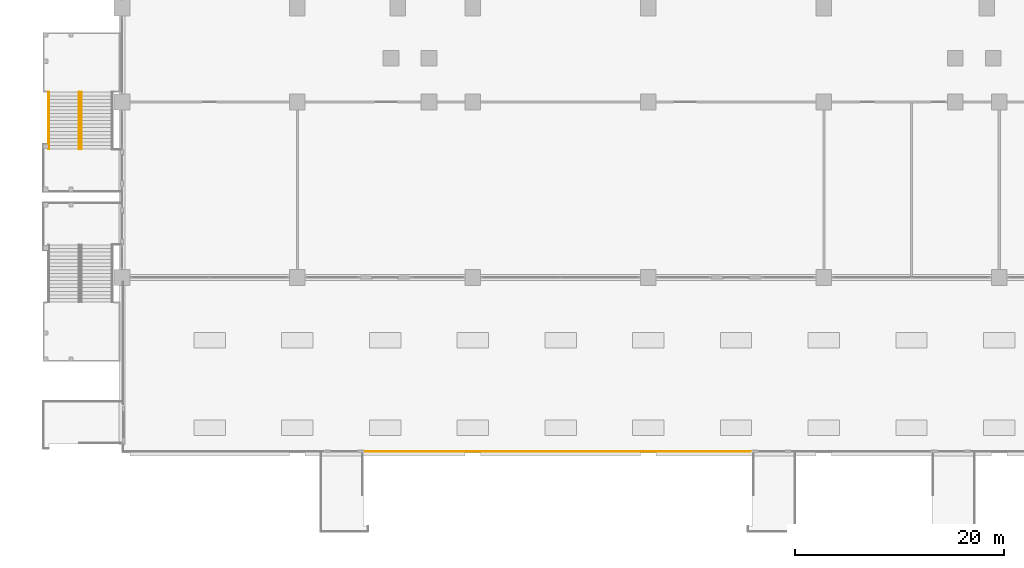
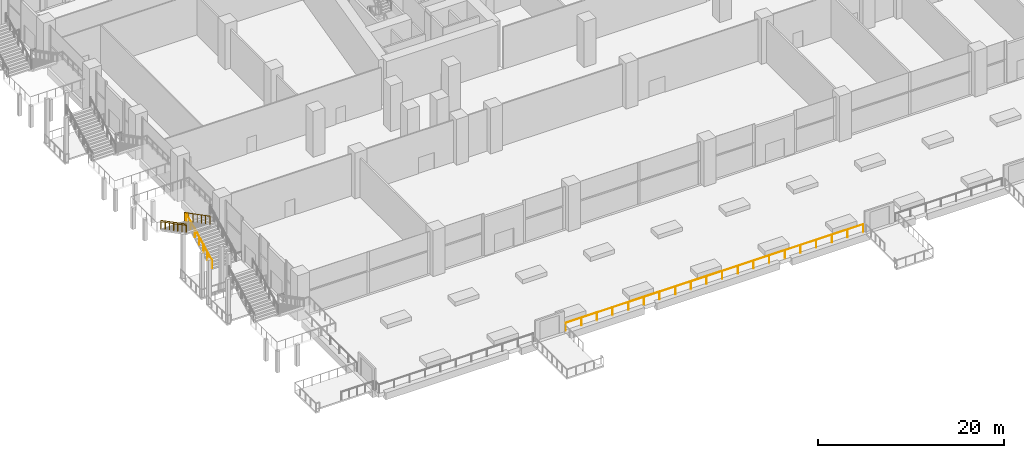
# One storey, part 33 of 47: 5 railings.
"""IFC4 building model written with IfcOpenShell, lengths in metres."""

from ifc_helpers import new_model, si_unit, direction, frame, origin, origin_2d, place, context, subcontext, project, spatial, circle, extrude, material, type_object, element, save


model = new_model("IFC4")

# Units and contexts
model_context = context("Model", 3, precision=1e-05, world=origin(), true_north=direction((0.0, 1.0)))
body_context = subcontext(model_context, "Body", "Model", "MODEL_VIEW")
ifc_project = project(units=[si_unit("LENGTHUNIT", "METRE"), si_unit("AREAUNIT", "SQUARE_METRE"), si_unit("VOLUMEUNIT", "CUBIC_METRE"), si_unit("PLANEANGLEUNIT", "RADIAN"), si_unit("MASSUNIT", "GRAM", prefix="KILO")], contexts=[model_context])

# Site, building, storey
site_placement = place(None, origin())
site = spatial("IfcSite", under=ifc_project, at=site_placement, CompositionType="ELEMENT")
building_placement = place(site_placement, origin())
building = spatial("IfcBuilding", under=site, at=building_placement, Name="Candeia Pilgrim Tower and Theatre", CompositionType="ELEMENT")
storey_placement = place(building_placement, frame((0.0, 0.0, 23.0)))
storey = spatial("IfcBuildingStorey", under=building, at=storey_placement, Name="L03", CompositionType="ELEMENT", Elevation=23.0)

# Railings
ifc_material_1 = material(Name="Stainless steel balustrade", Category="steel")
railing_type_1 = type_object("IfcRailingType", Name="G1 loggia guard 1100", PredefinedType="GUARDRAIL", material=ifc_material_1)
railing_1_placement = place(storey_placement, frame((119.0, 64.52001953125, 0.0)))
element("IfcRailing", 1, at=railing_1_placement, inside=storey, type_object=railing_type_1, Name="Terrace guard L03.3", PredefinedType="GUARDRAIL", context=body_context, shape_type="SweptSolid", body=[
    extrude(circle(Radius=0.02392578125, at=origin_2d()), frame((0.0, 0.0, 1.076171875), z_axis=(-1.0, 0.0, 0.0), x_axis=(0.0, -1.0, 0.0)), (0.0, 0.0, 1.0), 36.89990234375),
    extrude(circle(Radius=0.02099609375, at=origin_2d()), origin(), (0.0, 0.0, 1.0), 1.052001953125),
    extrude(circle(Radius=0.02099609375, at=origin_2d()), frame((-1.942138671875, 0.0, 0.0)), (0.0, 0.0, 1.0), 1.052001953125),
    extrude(circle(Radius=0.02099609375, at=origin_2d()), frame((-3.88427734375, 0.0, 0.0)), (0.0, 0.0, 1.0), 1.052001953125),
    extrude(circle(Radius=0.02099609375, at=origin_2d()), frame((-5.826416015625, 0.0, 0.0)), (0.0, 0.0, 1.0), 1.052001953125),
    extrude(circle(Radius=0.02099609375, at=origin_2d()), frame((-7.768310546875, 0.0, 0.0)), (0.0, 0.0, 1.0), 1.052001953125),
    extrude(circle(Radius=0.02099609375, at=origin_2d()), frame((-9.71044921875, 0.0, 0.0)), (0.0, 0.0, 1.0), 1.052001953125),
    extrude(circle(Radius=0.02099609375, at=origin_2d()), frame((-11.652587890625, 0.0, 0.0)), (0.0, 0.0, 1.0), 1.052001953125),
    extrude(circle(Radius=0.02099609375, at=origin_2d()), frame((-13.5947265625, 0.0, 0.0)), (0.0, 0.0, 1.0), 1.052001953125),
    extrude(circle(Radius=0.02099609375, at=origin_2d()), frame((-15.536865234375, 0.0, 0.0)), (0.0, 0.0, 1.0), 1.052001953125),
    extrude(circle(Radius=0.02099609375, at=origin_2d()), frame((-17.47900390625, 0.0, 0.0)), (0.0, 0.0, 1.0), 1.052001953125),
    extrude(circle(Radius=0.02099609375, at=origin_2d()), frame((-19.4208984375, 0.0, 0.0)), (0.0, 0.0, 1.0), 1.052001953125),
    extrude(circle(Radius=0.02099609375, at=origin_2d()), frame((-21.363037109375, 0.0, 0.0)), (0.0, 0.0, 1.0), 1.052001953125),
    extrude(circle(Radius=0.02099609375, at=origin_2d()), frame((-23.30517578125, 0.0, 0.0)), (0.0, 0.0, 1.0), 1.052001953125),
    extrude(circle(Radius=0.02099609375, at=origin_2d()), frame((-25.247314453125, 0.0, 0.0)), (0.0, 0.0, 1.0), 1.052001953125),
    extrude(circle(Radius=0.02099609375, at=origin_2d()), frame((-27.189453125, 0.0, 0.0)), (0.0, 0.0, 1.0), 1.052001953125),
    extrude(circle(Radius=0.02099609375, at=origin_2d()), frame((-29.131591796875, 0.0, 0.0)), (0.0, 0.0, 1.0), 1.052001953125),
    extrude(circle(Radius=0.02099609375, at=origin_2d()), frame((-31.073486328125, 0.0, 0.0)), (0.0, 0.0, 1.0), 1.052001953125),
    extrude(circle(Radius=0.02099609375, at=origin_2d()), frame((-33.015625, 0.0, 0.0)), (0.0, 0.0, 1.0), 1.052001953125),
    extrude(circle(Radius=0.02099609375, at=origin_2d()), frame((-34.957763671875, 0.0, 0.0)), (0.0, 0.0, 1.0), 1.052001953125),
    extrude(circle(Radius=0.02099609375, at=origin_2d()), frame((-36.89990234375, 0.0, 0.0)), (0.0, 0.0, 1.0), 1.052001953125),
])
railing_type_2 = type_object("IfcRailingType", Name="RL-GUARD-1100", PredefinedType="GUARDRAIL", material=ifc_material_1)
railing_2_placement = place(storey_placement, frame((54.949951171875, 93.5, 0.176513671875)))
element("IfcRailing", 2, at=railing_2_placement, inside=storey, type_object=railing_type_2, Name="L03 ES12 stair guard 1", PredefinedType="GUARDRAIL", context=body_context, shape_type="SweptSolid", body=[
    extrude(circle(Radius=0.02392578125, at=origin_2d()), frame((0.0, 0.0, 1.076171875), z_axis=(0.0, 0.887569374008, 0.460674078198), x_axis=(-1.0, 0.0, 0.0)), (0.0, 0.0, 1.0), 6.129150390625),
    extrude(circle(Radius=0.02099609375, at=origin_2d()), origin(), (0.0, 0.0, 1.0), 1.052001953125),
    extrude(circle(Radius=0.02099609375, at=origin_2d()), frame((0.0, 0.90673828125, 0.470703125)), (0.0, 0.0, 1.0), 1.052001953125),
    extrude(circle(Radius=0.02099609375, at=origin_2d()), frame((0.0, 1.813232421875, 0.941162109375)), (0.0, 0.0, 1.0), 1.052001953125),
    extrude(circle(Radius=0.02099609375, at=origin_2d()), frame((0.0, 2.719970703125, 1.41162109375)), (0.0, 0.0, 1.0), 1.052001953125),
    extrude(circle(Radius=0.02099609375, at=origin_2d()), frame((0.0, 3.626708984375, 1.88232421875)), (0.0, 0.0, 1.0), 1.052001953125),
    extrude(circle(Radius=0.02099609375, at=origin_2d()), frame((0.0, 4.533203125, 2.35302734375)), (0.0, 0.0, 1.0), 1.052001953125),
    extrude(circle(Radius=0.02099609375, at=origin_2d()), frame((0.0, 5.43994140625, 2.823486328125)), (0.0, 0.0, 1.0), 1.052001953125),
])
for number, where, name in (
    (3, (54.699951171875, 98.93994140625, 3.176513671875), "L03 ES12 stair guard 2"),
    (4, (51.75, 98.93994140625, 3.176513671875), "L03 ES12 stair guard 4"),
):
    element("IfcRailing", number, at=place(storey_placement, frame(where)), inside=storey, type_object=railing_type_2, Name=name, PredefinedType="GUARDRAIL", context=body_context, shape_type="SweptSolid", body=[
        extrude(circle(Radius=0.02392578125, at=origin_2d()), frame((0.0, 0.0, 1.076171875), z_axis=(0.0, -0.887569374008, 0.460674078198), x_axis=(1.0, 0.0, 0.0)), (0.0, 0.0, 1.0), 6.129150390625),
        extrude(circle(Radius=0.02099609375, at=origin_2d()), origin(), (0.0, 0.0, 1.0), 1.052001953125),
        extrude(circle(Radius=0.02099609375, at=origin_2d()), frame((0.0, -0.90673828125, 0.470703125)), (0.0, 0.0, 1.0), 1.052001953125),
        extrude(circle(Radius=0.02099609375, at=origin_2d()), frame((0.0, -1.813232421875, 0.941162109375)), (0.0, 0.0, 1.0), 1.052001953125),
        extrude(circle(Radius=0.02099609375, at=origin_2d()), frame((0.0, -2.719970703125, 1.41162109375)), (0.0, 0.0, 1.0), 1.052001953125),
        extrude(circle(Radius=0.02099609375, at=origin_2d()), frame((0.0, -3.626708984375, 1.88232421875)), (0.0, 0.0, 1.0), 1.052001953125),
        extrude(circle(Radius=0.02099609375, at=origin_2d()), frame((0.0, -4.533203125, 2.35302734375)), (0.0, 0.0, 1.0), 1.052001953125),
        extrude(circle(Radius=0.02099609375, at=origin_2d()), frame((0.0, -5.43994140625, 2.823486328125)), (0.0, 0.0, 1.0), 1.052001953125),
    ])
ifc_material_2 = material(Name="Stainless steel handrail", Category="steel")
railing_type_3 = type_object("IfcRailingType", Name="RL-HANDRAIL-900", PredefinedType="HANDRAIL", material=ifc_material_2)
railing_3_placement = place(storey_placement, frame((51.800048828125, 98.93994140625, 3.176513671875)))
element("IfcRailing", 5, at=railing_3_placement, inside=storey, type_object=railing_type_3, Name="L03 ES12 stair handrail 2", PredefinedType="HANDRAIL", context=body_context, shape_type="SweptSolid", body=[
    extrude(circle(Radius=0.02392578125, at=origin_2d()), frame((0.0, 0.0, 0.8759765625), z_axis=(0.0, -0.887569374008, 0.460674078198), x_axis=(1.0, 0.0, 0.0)), (0.0, 0.0, 1.0), 6.129150390625),
    extrude(circle(Radius=0.02099609375, at=origin_2d()), origin(), (0.0, 0.0, 1.0), 0.851806640625),
    extrude(circle(Radius=0.02099609375, at=origin_2d()), frame((0.0, -0.90673828125, 0.470703125)), (0.0, 0.0, 1.0), 0.851806640625),
    extrude(circle(Radius=0.02099609375, at=origin_2d()), frame((0.0, -1.813232421875, 0.941162109375)), (0.0, 0.0, 1.0), 0.851806640625),
    extrude(circle(Radius=0.02099609375, at=origin_2d()), frame((0.0, -2.719970703125, 1.41162109375)), (0.0, 0.0, 1.0), 0.851806640625),
    extrude(circle(Radius=0.02099609375, at=origin_2d()), frame((0.0, -3.626708984375, 1.88232421875)), (0.0, 0.0, 1.0), 0.851806640625),
    extrude(circle(Radius=0.02099609375, at=origin_2d()), frame((0.0, -4.533203125, 2.35302734375)), (0.0, 0.0, 1.0), 0.851806640625),
    extrude(circle(Radius=0.02099609375, at=origin_2d()), frame((0.0, -5.43994140625, 2.823486328125)), (0.0, 0.0, 1.0), 0.851806640625),
])

save(model, "model.ifc")
